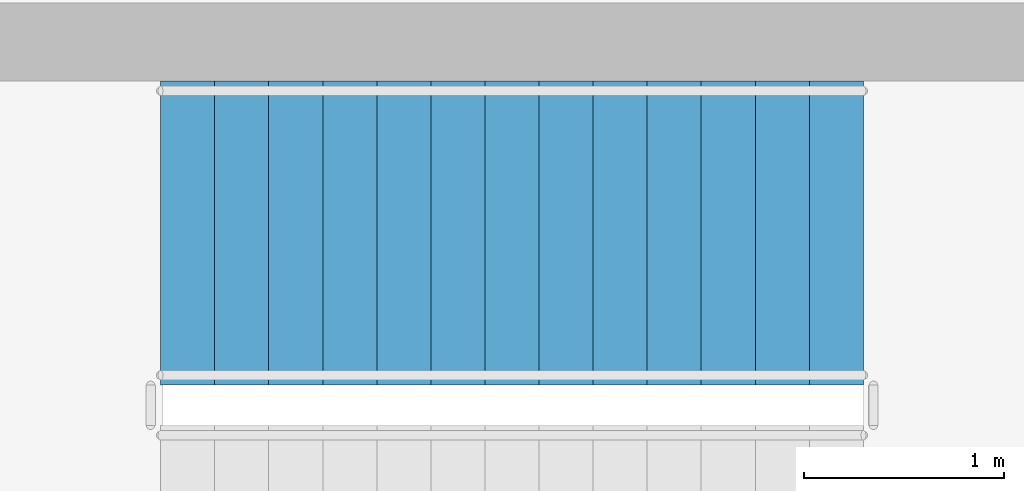
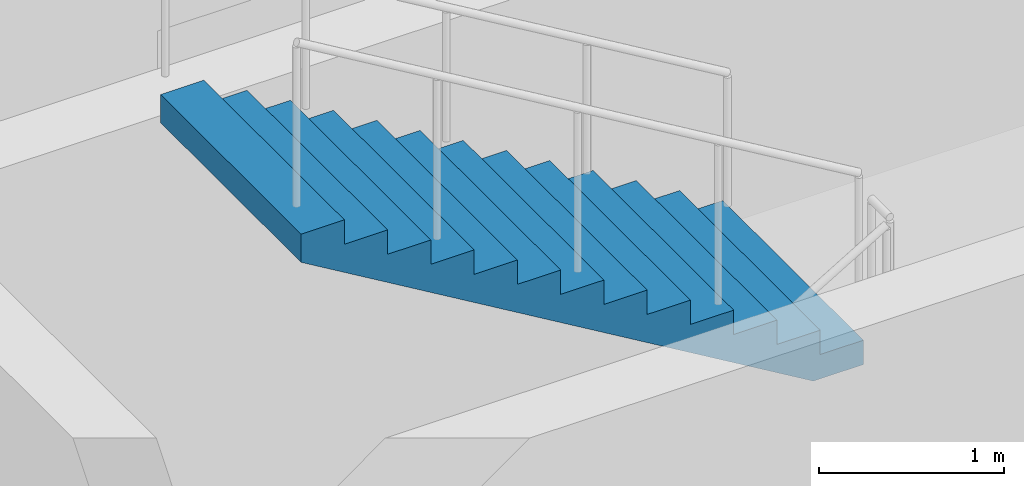
# One storey, part 121 of 137: 1 stair flight, 1 element without a shape of its own.
"""IFC4 building model written with IfcOpenShell, lengths in metres."""

from ifc_helpers import new_model, si_unit, direction, frame, origin, place, context, subcontext, project, spatial, polyline, outline, extrude, material, type_object, element, aggregate, save


model = new_model("IFC4")

# Units and contexts
model_context = context("Model", 3, precision=1e-05, world=origin(), true_north=direction((0.0, 1.0)))
body_context = subcontext(model_context, "Body", "Model", "MODEL_VIEW")
ifc_project = project(units=[si_unit("LENGTHUNIT", "METRE"), si_unit("AREAUNIT", "SQUARE_METRE"), si_unit("VOLUMEUNIT", "CUBIC_METRE"), si_unit("PLANEANGLEUNIT", "RADIAN"), si_unit("MASSUNIT", "GRAM", prefix="KILO")], contexts=[model_context])

# Site, building, storey
site_placement = place(None, origin())
site = spatial("IfcSite", under=ifc_project, at=site_placement, CompositionType="ELEMENT")
building_placement = place(site_placement, origin())
building = spatial("IfcBuilding", under=site, at=building_placement, Name="Xazarin Passage Department Store", CompositionType="ELEMENT")
storey_placement = place(building_placement, frame((0.0, 0.0, 5.39990234375)))
storey = spatial("IfcBuildingStorey", under=building, at=storey_placement, Name="L01", CompositionType="ELEMENT", Elevation=5.39990234375)

# Stair, stair flight
ifc_material = material(Name="Concrete C35/45", Category="concrete")
stair_type = type_object("IfcStairType", Name="ARC-ST-TYP", PredefinedType="HALF_TURN_STAIR", material=ifc_material)
stair_placement = place(storey_placement, origin())
stair = element("IfcStair", 1, at=stair_placement, inside=storey, type_object=stair_type, Name="L01 Exit Stair ST11", PredefinedType="HALF_TURN_STAIR")
stair_flight_type = type_object("IfcStairFlightType", Name="ARC-SFL-TYP", PredefinedType="STRAIGHT", material=ifc_material)
stair_flight_placement = place(storey_placement, frame((133.14990234375, 106.659912109375, 2.25), z_axis=(0.0, 0.0, 1.0), x_axis=(-1.0, 0.0, 0.0)))
stair_flight = element("IfcStairFlight", 2, at=stair_flight_placement, type_object=stair_flight_type, Name="ST11 flight 2", NumberOfRisers=14, NumberOfTreads=13, PredefinedType="STRAIGHT", RiserHeight=0.160714286, TreadLength=0.27, context=body_context, shape_type="SweptSolid", body=[
    extrude(outline(polyline([(0.0, 0.0), (0.0, 0.16064453125), (0.27001953125, 0.16064453125), (0.27001953125, 0.321533203125), (0.5400390625, 0.321533203125), (0.5400390625, 0.482177734375), (0.81005859375, 0.482177734375), (0.81005859375, 0.642822265625), (1.080078125, 0.642822265625), (1.080078125, 0.803466796875), (1.35009765625, 0.803466796875), (1.35009765625, 0.96435546875), (1.6201171875, 0.96435546875), (1.6201171875, 1.125), (1.889892578125, 1.125), (1.889892578125, 1.28564453125), (2.159912109375, 1.28564453125), (2.159912109375, 1.446533203125), (2.429931640625, 1.446533203125), (2.429931640625, 1.607177734375), (2.699951171875, 1.607177734375), (2.699951171875, 1.767822265625), (2.969970703125, 1.767822265625), (2.969970703125, 1.928466796875), (3.239990234375, 1.928466796875), (3.239990234375, 2.08935546875), (3.510009765625, 2.08935546875), (3.510009765625, 2.25), (3.510009765625, 1.903076171875), (0.312744140625, 0.0), (0.0, 0.0)])), frame((0.0, 0.760009765625, 0.0), z_axis=(0.0, -1.0, 0.0), x_axis=(1.0, 0.0, 0.0)), (0.0, 0.0, 1.0), 1.52001953125),
])
aggregate(stair, [stair_flight])

save(model, "model.ifc")
